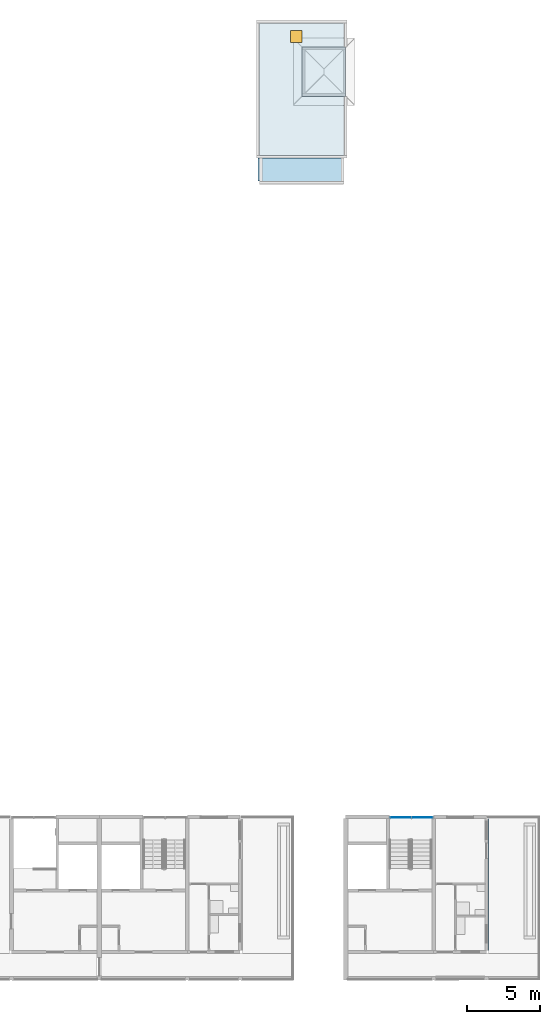
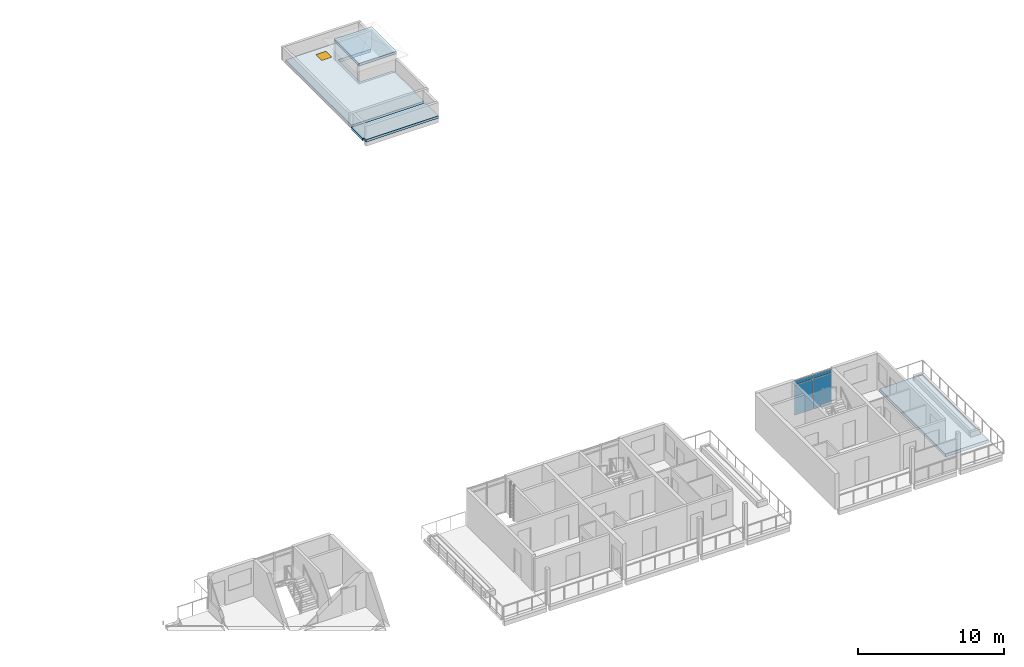
# One storey, part 17 of 41: 4 plates, 4 slabs, 1 door, 1 opening, 1 element without a shape of its own.
"""IFC4 building model written with IfcOpenShell, lengths in metres."""

from ifc_helpers import new_model, si_unit, direction, frame, origin, origin_2d, place, context, subcontext, project, spatial, polyline, rectangle, outline, extrude, material, layer, layer_set, type_object, element, fill, aggregate, save


model = new_model("IFC4")

# Units and contexts
model_context = context("Model", 3, precision=1e-05, world=origin(), true_north=direction((0.0, 1.0)))
body_context = subcontext(model_context, "Body", "Model", "MODEL_VIEW")
ifc_project = project(units=[si_unit("LENGTHUNIT", "METRE"), si_unit("AREAUNIT", "SQUARE_METRE"), si_unit("VOLUMEUNIT", "CUBIC_METRE"), si_unit("PLANEANGLEUNIT", "RADIAN"), si_unit("MASSUNIT", "GRAM", prefix="KILO")], contexts=[model_context])

# Site, building, storey
site_placement = place(None, origin())
site = spatial("IfcSite", under=ifc_project, at=site_placement, CompositionType="ELEMENT")
building_placement = place(site_placement, origin())
building = spatial("IfcBuilding", under=site, at=building_placement, Name="Ridgestep Commons", CompositionType="ELEMENT")
storey_placement = place(building_placement, frame((0.0, 0.0, 39.0)))
storey = spatial("IfcBuildingStorey", under=building, at=storey_placement, Name="L13", CompositionType="ELEMENT", Elevation=39.0)

# Slab
ifc_material_1 = material(Name="Precast concrete C40/50", Category="concrete")
ifc_layer_1 = layer(ifc_material_1, 0.199951171875)
ifc_layer_set_1 = layer_set([ifc_layer_1], Name="Gallery roof slab 200")
slab_type_1 = type_object("IfcSlabType", Name="Gallery roof slab 200", PredefinedType="ROOF", material=ifc_layer_set_1)
slab_1_placement = place(storey_placement, frame((0.0, 0.0, -0.199951171875)))
element("IfcSlab", 1, at=slab_1_placement, inside=storey, type_object=slab_type_1, Name="Gallery slab C5 L13", PredefinedType="ROOF", context=body_context, shape_type="SweptSolid", body=[
    extrude(outline(polyline([(224.800048828125, 67.800048828125), (224.800048828125, 66.25), (224.925048828125, 66.25), (224.925048828125, 66.0), (230.64990234375, 66.0), (230.64990234375, 67.800048828125), (224.800048828125, 67.800048828125)])), origin(), (0.0, 0.0, 1.0), 0.199951171875),
])

# Curtain wall, plates
ifc_material_2 = material(Name="Aluminium 6063-T6 and glass", Category="aluminium")
curtain_wall_type = type_object("IfcCurtainWallType", Name="Curtain wall stair strip", PredefinedType="NOTDEFINED", material=ifc_material_2)
curtain_wall_placement = place(storey_placement, origin())
curtain_wall = element("IfcCurtainWall", 2, at=curtain_wall_placement, inside=storey, type_object=curtain_wall_type, Name="Curtain wall D6C level 13", PredefinedType="NOTDEFINED")
ifc_material_3 = material(Name="Glass laminated 6/16/6 low-emissivity", Category="glass")
ifc_layer_2 = layer(ifc_material_3, 0.028076171875)
ifc_layer_set_2 = layer_set([ifc_layer_2], Name="Glazing panel 28")
plate_type_1 = type_object("IfcPlateType", Name="Glazing panel 28", PredefinedType="CURTAIN_PANEL", material=ifc_layer_set_2)
plate_1_placement = place(storey_placement, frame((234.546142578125, 22.830078125, 0.06005859375), z_axis=(0.0, 0.0, 1.0), x_axis=(1.0, 0.0, 0.0)))
plate_1 = element("IfcPlate", 3, at=plate_1_placement, type_object=plate_type_1, Name="CW1 panel 1.1", PredefinedType="CURTAIN_PANEL", context=body_context, shape_type="SweptSolid", body=[
    extrude(rectangle(XDim=1.422607421875, YDim=0.028076171875, at=origin_2d()), origin(), (0.0, 0.0, 1.0), 2.5),
])
plate_2_placement = place(storey_placement, frame((236.02880859375, 22.830078125, 0.06005859375), z_axis=(0.0, 0.0, 1.0), x_axis=(1.0, 0.0, 0.0)))
plate_2 = element("IfcPlate", 4, at=plate_2_placement, type_object=plate_type_1, Name="CW1 panel 2.1", PredefinedType="CURTAIN_PANEL", context=body_context, shape_type="SweptSolid", body=[
    extrude(rectangle(XDim=1.422607421875, YDim=0.028076171875, at=origin_2d()), origin(), (0.0, 0.0, 1.0), 2.5),
])

# Slab
ifc_material_4 = material(Name="Precast concrete C50/60", Category="concrete")
ifc_layer_3 = layer(ifc_material_4, 0.199951171875)
ifc_layer_set_3 = layer_set([ifc_layer_3], Name="Overrun roof 200")
slab_type_2 = type_object("IfcSlabType", Name="Overrun roof 200", PredefinedType="ROOF", material=ifc_layer_set_3)
slab_2_placement = place(storey_placement, frame((0.0, 0.0, 1.5)))
element("IfcSlab", 5, at=slab_2_placement, inside=storey, type_object=slab_type_2, Name="Lift overrun roof C5C", PredefinedType="ROOF", context=body_context, shape_type="SweptSolid", body=[
    extrude(outline(polyline([(230.800048828125, 72.0), (230.800048828125, 75.39990234375), (227.824951171875, 75.39990234375), (227.824951171875, 72.0), (230.800048828125, 72.0)])), origin(), (0.0, 0.0, 1.0), 0.199951171875),
])

# Slab, opening, door
ifc_material_5 = material(Name="Precast concrete C50/60", Category="concrete")
ifc_layer_4 = layer(ifc_material_5, 0.25)
ifc_layer_set_4 = layer_set([ifc_layer_4], Name="Roof slab 250")
slab_type_3 = type_object("IfcSlabType", Name="Roof slab 250", PredefinedType="ROOF", material=ifc_layer_set_4)
slab_3_placement = place(storey_placement, frame((0.0, 0.0, -0.25)))
slab_3 = element("IfcSlab", 6, at=slab_3_placement, inside=storey, type_object=slab_type_3, Name="Roof slab C5C", PredefinedType="ROOF", context=body_context, shape_type="SweptSolid", body=[
    extrude(outline(polyline([(230.64990234375, 68.0), (230.64990234375, 72.199951171875), (228.02490234375, 72.199951171875), (228.02490234375, 75.199951171875), (230.64990234375, 75.199951171875), (230.64990234375, 77.0), (224.925048828125, 77.0), (224.925048828125, 68.0), (230.64990234375, 68.0)])), origin(), (0.0, 0.0, 1.0), 0.25),
])
opening_placement = place(slab_3_placement, frame((227.425048828125, 76.10009765625, 0.0)))
opening = element("IfcOpeningElement", 7, at=opening_placement, cuts=slab_3, Name="Opening C5C/RF/1", PredefinedType="OPENING", context=body_context, shape_type="SweptSolid", body=[
    extrude(rectangle(XDim=0.800048828125, YDim=0.800048828125, at=origin_2d()), origin(), (0.0, 0.0, 1.0), 0.25),
])
ifc_material_6 = material(Name="Steel", Category="steel")
door_type = type_object("IfcDoorType", Name="Ladder roof hatch 800 x 800", OperationType="SINGLE_SWING_LEFT", PredefinedType="TRAPDOOR", material=ifc_material_6)
door_placement = place(opening_placement, frame((0.0, 0.0, 0.199951171875)))
door = element("IfcDoor", 8, at=door_placement, inside=storey, type_object=door_type, Name="Roof hatch C5C", OperationType="SINGLE_SWING_LEFT", OverallHeight=0.800048828125, OverallWidth=0.800048828125, PredefinedType="TRAPDOOR", context=body_context, shape_type="SweptSolid", body=[
    extrude(rectangle(XDim=0.800048828125, YDim=0.800048828125, at=origin_2d()), origin(), (0.0, 0.0, 1.0), 0.050048828125),
])
fill(opening, door)

# Slab
slab_4_placement = place(storey_placement, frame((0.0, 0.0, -0.25)))
element("IfcSlab", 9, at=slab_4_placement, inside=storey, type_object=slab_type_3, Name="Terrace slab D6T2", PredefinedType="ROOF", context=body_context, shape_type="SweptSolid", body=[
    extrude(outline(polyline([(243.89990234375, 13.75), (243.89990234375, 22.75), (240.5, 22.75), (240.5, 13.75), (243.89990234375, 13.75)])), origin(), (0.0, 0.0, 1.0), 0.25),
])

# Plate
ifc_material_7 = material(Name="Aluminium 6063-T6 and mineral wool", Category="aluminium")
ifc_layer_5 = layer(ifc_material_7, 0.0400390625)
ifc_layer_set_5 = layer_set([ifc_layer_5], Name="Spandrel panel 40")
plate_type_2 = type_object("IfcPlateType", Name="Spandrel panel 40", PredefinedType="CURTAIN_PANEL", material=ifc_layer_set_5)
plate_3_placement = place(storey_placement, frame((234.546142578125, 22.830078125, 2.6201171875), z_axis=(0.0, 0.0, 1.0), x_axis=(1.0, 0.0, 0.0)))
plate_3 = element("IfcPlate", 10, at=plate_3_placement, type_object=plate_type_2, Name="CW1 panel 1.2", PredefinedType="CURTAIN_PANEL", context=body_context, shape_type="SweptSolid", body=[
    extrude(rectangle(XDim=1.422607421875, YDim=0.0400390625, at=origin_2d()), origin(), (0.0, 0.0, 1.0), 0.320068359375),
])

plate_4_placement = place(storey_placement, frame((236.02880859375, 22.830078125, 2.6201171875), z_axis=(0.0, 0.0, 1.0), x_axis=(1.0, 0.0, 0.0)))
plate_4 = element("IfcPlate", 11, at=plate_4_placement, type_object=plate_type_2, Name="CW1 panel 2.2", PredefinedType="CURTAIN_PANEL", context=body_context, shape_type="SweptSolid", body=[
    extrude(rectangle(XDim=1.422607421875, YDim=0.0400390625, at=origin_2d()), origin(), (0.0, 0.0, 1.0), 0.320068359375),
])

aggregate(curtain_wall, [plate_1, plate_3, plate_2, plate_4])

save(model, "model.ifc")
